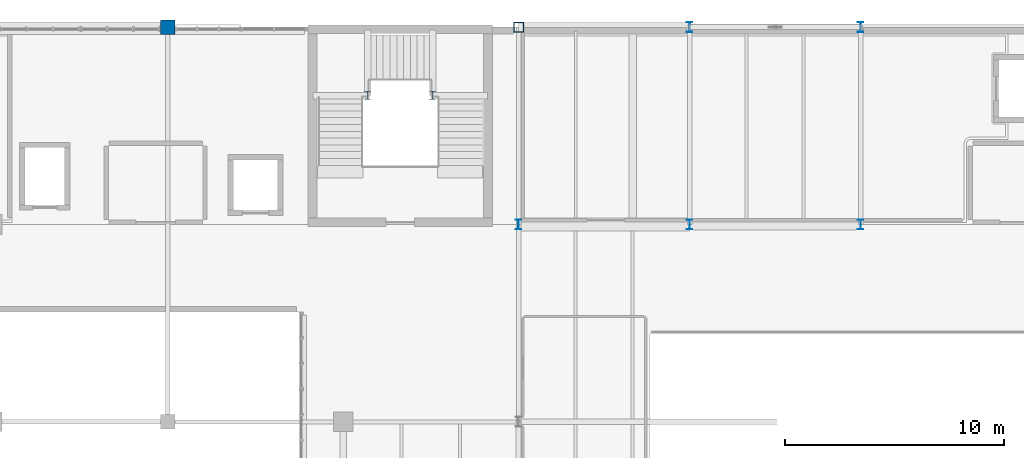
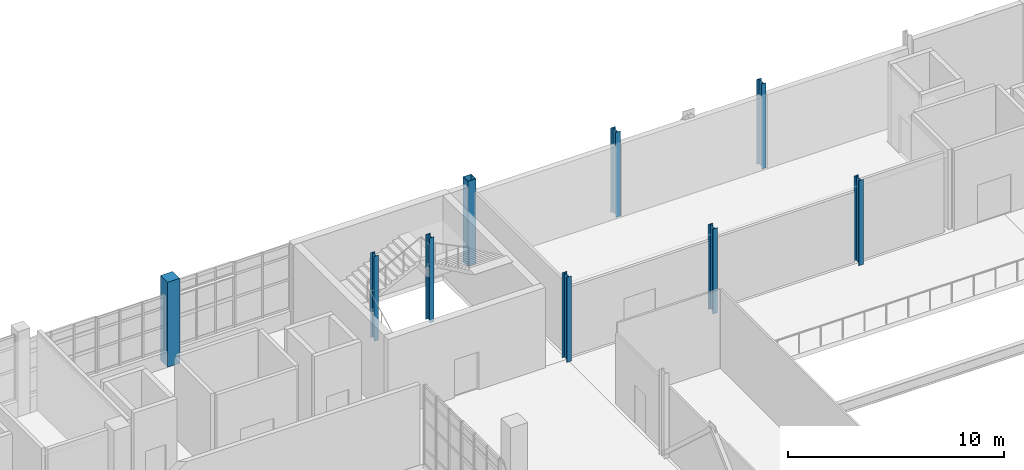
# One storey, part 11 of 100: 9 columns.
"""IFC4 building model written with IfcOpenShell, lengths in metres."""

from ifc_helpers import new_model, si_unit, derived_unit, direction, frame, origin, origin_2d, place, context, subcontext, project, spatial, rectangle, hollow_rectangle, i_section, extrude, material, material_profile, profile_set, type_object, element, save


model = new_model("IFC4")

# Units and contexts
model_context = context("Model", 3, precision=1e-05, world=origin(), true_north=direction((0.0, 1.0)))
body_context = subcontext(model_context, "Body", "Model", "MODEL_VIEW")
ifc_project = project(units=[si_unit("LENGTHUNIT", "METRE"), si_unit("AREAUNIT", "SQUARE_METRE"), si_unit("VOLUMEUNIT", "CUBIC_METRE"), si_unit("PLANEANGLEUNIT", "RADIAN"), si_unit("MASSUNIT", "GRAM", prefix="KILO"), derived_unit("THERMALTRANSMITTANCEUNIT", [(si_unit("POWERUNIT", "WATT"), 1), (si_unit("LENGTHUNIT", "METRE"), -2), (si_unit("THERMODYNAMICTEMPERATUREUNIT", "KELVIN"), -1)])], contexts=[model_context])

# Site, building, storey
site_placement = place(None, origin())
site = spatial("IfcSite", under=ifc_project, at=site_placement, CompositionType="ELEMENT")
building_placement = place(site_placement, origin())
building = spatial("IfcBuilding", under=site, at=building_placement, Name="Nallur Shell Playhouse", CompositionType="ELEMENT")
storey_placement = place(building_placement, frame((0.0, 0.0, 10.199951171875)))
storey = spatial("IfcBuildingStorey", under=building, at=storey_placement, Name="L03", CompositionType="ELEMENT", Elevation=10.199951171875)

# Columns
ifc_material_1 = material(Name="Concrete M35", Category="concrete")
ifc_material_profile_1 = material_profile(ifc_material_1, rectangle(XDim=0.64990234375, YDim=0.64990234375, at=origin_2d()), Name="RC 650x650")
ifc_profile_set_1 = profile_set([ifc_material_profile_1], Name="Concrete M35")
column_type_1 = type_object("IfcColumnType", Name="CL-RC-650", PredefinedType="COLUMN", material=ifc_profile_set_1)
column_1_placement = place(storey_placement, frame((48.0, 83.0, 0.0), z_axis=(0.0, 0.0, 1.0), x_axis=(1.0, 0.0, 0.0)))
element("IfcColumn", 1, at=column_1_placement, inside=storey, type_object=column_type_1, Name="Column 6-K (L03)", PredefinedType="COLUMN", context=body_context, shape_type="SweptSolid", body=[
    extrude(rectangle(XDim=0.64990234375, YDim=0.64990234375, at=origin_2d()), origin(), (0.0, 0.0, 1.0), 4.800048828125),
])
ifc_material_2 = material(Name="Steel E350", Category="steel")
ifc_material_profile_2 = material_profile(ifc_material_2, hollow_rectangle(XDim=0.449951171875, YDim=0.449951171875, WallThickness=0.02001953125, at=origin_2d()), Name="BOX 450x450x20")
ifc_profile_set_2 = profile_set([ifc_material_profile_2], Name="Steel E350")
column_type_2 = type_object("IfcColumnType", Name="CL-ST-BOX450", PredefinedType="COLUMN", material=ifc_profile_set_2)
column_2_placement = place(storey_placement, frame((64.0, 83.0, 0.0), z_axis=(0.0, 0.0, 1.0), x_axis=(1.0, 0.0, 0.0)))
element("IfcColumn", 2, at=column_2_placement, inside=storey, type_object=column_type_2, Name="Column 8-K (L03)", PredefinedType="COLUMN", context=body_context, shape_type="SweptSolid", body=[
    extrude(hollow_rectangle(XDim=0.449951171875, YDim=0.449951171875, WallThickness=0.02001953125, at=origin_2d()), origin(), (0.0, 0.0, 1.0), 4.800048828125),
])
ifc_material_profile_3 = material_profile(ifc_material_2, i_section(OverallWidth=0.25, OverallDepth=0.35009765625, WebThickness=0.010009765625, FlangeThickness=0.01171875, FilletRadius=0.011962890625, at=origin_2d()), Name="ISHB 350")
ifc_profile_set_3 = profile_set([ifc_material_profile_3], Name="Steel E350")
column_type_3 = type_object("IfcColumnType", Name="CL-ST-ISHB350", PredefinedType="COLUMN", material=ifc_profile_set_3)
for number, where, z_axis, x_axis, name in (
    (3, (57.1201171875, 79.8798828125, 0.0), (0.0, 0.0, 1.0), (1.0, 0.0, 0.0), "Column STW-JC-3-W (L03)"),
    (4, (60.080078125, 79.8798828125, 0.0), (0.0, 0.0, 1.0), (1.0, 0.0, 0.0), "Column STW-JC-3-E (L03)"),
):
    element("IfcColumn", number, at=place(storey_placement, frame(where, z_axis=z_axis, x_axis=x_axis)), inside=storey, type_object=column_type_3, Name=name, PredefinedType="COLUMN", context=body_context, shape_type="SweptSolid", body=[
        extrude(i_section(OverallWidth=0.25, OverallDepth=0.35009765625, WebThickness=0.010009765625, FlangeThickness=0.01171875, FilletRadius=0.011962890625, at=origin_2d()), origin(), (0.0, 0.0, 1.0), 4.800048828125),
    ])
ifc_material_profile_4 = material_profile(ifc_material_2, i_section(OverallWidth=0.25, OverallDepth=0.449951171875, WebThickness=0.01123046875, FlangeThickness=0.013671875, FilletRadius=0.014892578125, at=origin_2d()), Name="ISHB 450")
ifc_profile_set_4 = profile_set([ifc_material_profile_4], Name="Steel E350")
column_type_4 = type_object("IfcColumnType", Name="CL-ST-ISHB450", PredefinedType="COLUMN", material=ifc_profile_set_4)
for number, where, z_axis, x_axis, name in (
    (5, (64.0, 74.0, 0.0), (0.0, 0.0, 1.0), (1.0, 0.0, 0.0), "Column 8-J (L03)"),
    (6, (71.800048828125, 74.0, 0.0), (0.0, 0.0, 1.0), (1.0, 0.0, 0.0), "Column 9-J (L03)"),
    (7, (71.800048828125, 83.0, 0.0), (0.0, 0.0, 1.0), (1.0, 0.0, 0.0), "Column 9-K (L03)"),
    (8, (79.60009765625, 74.0, 0.0), (0.0, 0.0, 1.0), (1.0, 0.0, 0.0), "Column 10-J (L03)"),
    (9, (79.60009765625, 83.0, 0.0), (0.0, 0.0, 1.0), (1.0, 0.0, 0.0), "Column 10-K (L03)"),
):
    element("IfcColumn", number, at=place(storey_placement, frame(where, z_axis=z_axis, x_axis=x_axis)), inside=storey, type_object=column_type_4, Name=name, PredefinedType="COLUMN", context=body_context, shape_type="SweptSolid", body=[
        extrude(i_section(OverallWidth=0.25, OverallDepth=0.449951171875, WebThickness=0.01123046875, FlangeThickness=0.013671875, FilletRadius=0.014892578125, at=origin_2d()), origin(), (0.0, 0.0, 1.0), 4.800048828125),
    ])

save(model, "model.ifc")
